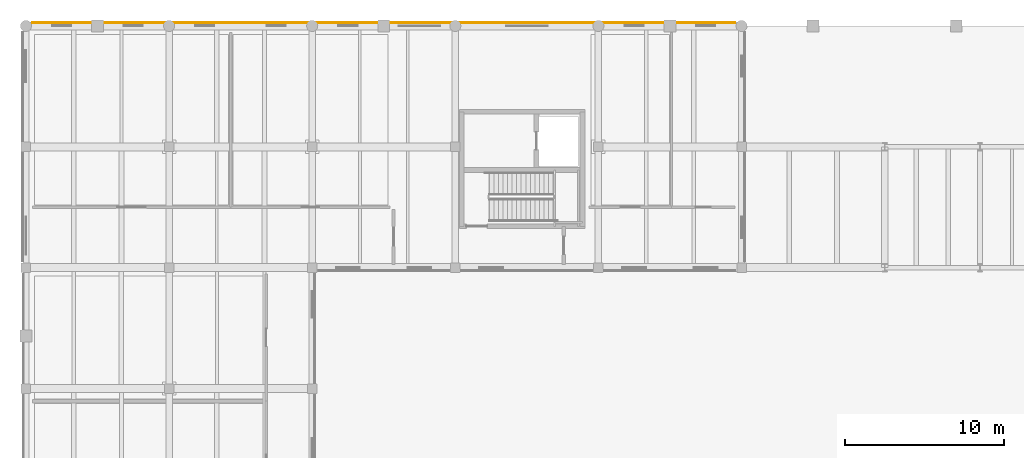
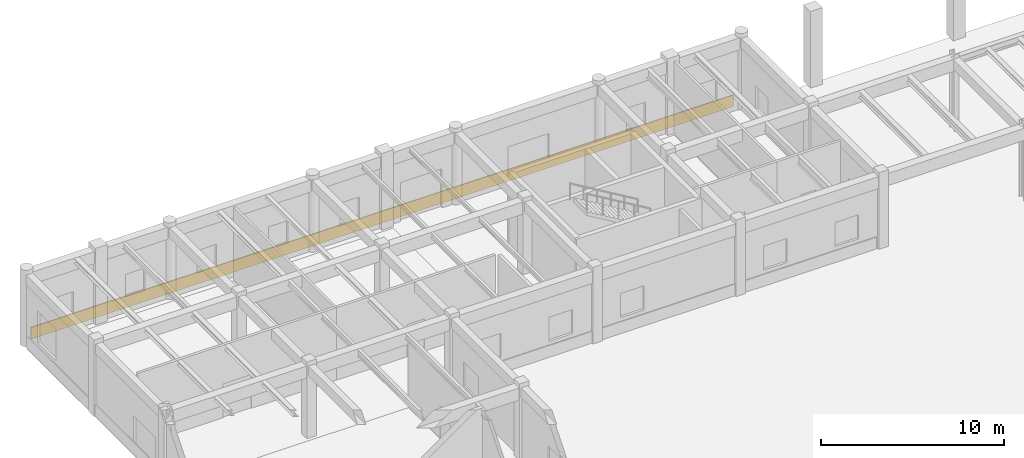
# One storey, part 58 of 64: 1 covering.
"""IFC4 building model written with IfcOpenShell, lengths in metres."""

import ifcopenshell
import ifcopenshell.guid

model = None  # the IFC model being written
_history = None  # IfcOwnerHistory: only IFC2X3 demands one
_inside = {}  # id of a spatial element -> (the spatial element, [elements in it])
_under = {}  # id of a project, library or spatial element -> (it, [spatial elements below it])
_declared = {}  # id of a project -> (the project, [libraries it declares])
_typed = {}  # id of a type object -> (the type object, [elements of that type])
_made_of = {}  # id of a material, layer set ... -> (it, [elements and type objects made of it])


def new_model(schema):
    """Start an empty IFC model of exactly this schema.

    Asked for "IFC4X3", IfcOpenShell would pick the latest addendum, in which some entities
    have other attributes; the version numbers below select the first issue.
    IFC2X3 requires an IfcOwnerHistory on every rooted entity: one is made here for all.
    """
    global model, _history
    if schema == "IFC4X3":
        model = ifcopenshell.file(schema_version=(4, 3, 0, 0))
    else:
        model = ifcopenshell.file(schema=schema)
    _inside.clear()
    _under.clear()
    _declared.clear()
    _typed.clear()
    _made_of.clear()
    _history = None
    if model.schema == "IFC2X3":
        org = make("IfcOrganization", Name="unknown")
        user = make(
            "IfcPersonAndOrganization",
            ThePerson=make("IfcPerson", FamilyName="unknown"),
            TheOrganization=org,
        )
        app = make(
            "IfcApplication",
            ApplicationDeveloper=org,
            Version="unknown",
            ApplicationFullName="unknown",
            ApplicationIdentifier="unknown",
        )
        _history = make(
            "IfcOwnerHistory",
            OwningUser=user,
            OwningApplication=app,
            ChangeAction="ADDED",
            CreationDate=0,
        )
    return model


def make(cls, **values):
    """One entity of the class cls with the attributes given. An attribute that is None is left unset."""
    return model.create_entity(
        cls, **{name: value for name, value in values.items() if value is not None}
    )


def rooted(cls, **values):
    """An entity with a GlobalId (a new one), such as an element, a storey or a relation."""
    return make(cls, GlobalId=ifcopenshell.guid.new(), OwnerHistory=_history, **values)


def si_unit(unit_type, name, prefix=None):
    """IfcSIUnit, for example si_unit("LENGTHUNIT", "METRE", prefix="MILLI")."""
    return make("IfcSIUnit", UnitType=unit_type, Prefix=prefix, Name=name)


def assignment(units):
    """IfcUnitAssignment: the units of a project."""
    return None if units is None else make("IfcUnitAssignment", Units=units)


def point(xyz):
    """IfcCartesianPoint."""
    return None if xyz is None else make("IfcCartesianPoint", Coordinates=xyz)


def direction(xyz):
    """IfcDirection."""
    return None if xyz is None else make("IfcDirection", DirectionRatios=xyz)


def frame(location, z_axis=None, x_axis=None):
    """IfcAxis2Placement3D, a coordinate frame: its origin and axes. An axis left out is left unset."""
    return make(
        "IfcAxis2Placement3D",
        Location=point(location),
        Axis=direction(z_axis),
        RefDirection=direction(x_axis),
    )


def frame_2d(location, x_axis=None):
    """IfcAxis2Placement2D, a coordinate frame in the plane: its origin and x axis."""
    return make(
        "IfcAxis2Placement2D", Location=point(location), RefDirection=direction(x_axis)
    )


def origin():
    """The frame at (0, 0, 0) with its axes left unset."""
    return frame((0.0, 0.0, 0.0))


def origin_2d():
    """The frame at (0, 0) in the plane with its x axis left unset."""
    return frame_2d((0.0, 0.0))


def place(relative_to, where):
    """IfcLocalPlacement: puts the frame where relative to a parent placement (None: the world)."""
    return make(
        "IfcLocalPlacement", PlacementRelTo=relative_to, RelativePlacement=where
    )


def context(
    kind, dimensions, precision=None, world=None, true_north=None, identifier=None
):
    """IfcGeometricRepresentationContext, for example the 3D "Model" context."""
    return make(
        "IfcGeometricRepresentationContext",
        ContextIdentifier=identifier,
        ContextType=kind,
        CoordinateSpaceDimension=dimensions,
        Precision=precision,
        WorldCoordinateSystem=world,
        TrueNorth=true_north,
    )


def subcontext(parent, identifier, kind, view, scale=None):
    """IfcGeometricRepresentationSubContext, for example "Body" below "Model"."""
    return make(
        "IfcGeometricRepresentationSubContext",
        ContextIdentifier=identifier,
        ContextType=kind,
        ParentContext=parent,
        TargetScale=scale,
        TargetView=view,
    )


def project(units=None, contexts=None):
    """IfcProject with its units and contexts."""
    return rooted(
        "IfcProject",
        Name="project",
        RepresentationContexts=contexts,
        UnitsInContext=assignment(units),
    )


def spatial(cls, under=None, at=None, **own):
    """A site, building, storey or space (cls), placed at a placement, below another one or the project."""
    s = rooted(cls, ObjectPlacement=at, **own)
    if under is not None:
        _under.setdefault(under.id(), (under, []))[1].append(s)
    return s


def profile(cls, at=None, kind="AREA", **sizes):
    """A parametric profile (cls). Its sizes go by their IFC names, for example OverallWidth=200.0."""
    return make(cls, ProfileType=kind, Position=at, **sizes)


def rectangle(**sizes):
    """IfcRectangleProfileDef."""
    return profile("IfcRectangleProfileDef", **sizes)


def extrude(swept, where, along, depth):
    """IfcExtrudedAreaSolid: the profile swept, set in the frame where, extruded along a direction by depth."""
    return make(
        "IfcExtrudedAreaSolid",
        SweptArea=swept,
        Position=where,
        ExtrudedDirection=direction(along),
        Depth=depth,
    )


def shape(context_of_items, identifier, shape_type, items):
    """IfcShapeRepresentation: the items that make up one representation, for example the "Body"."""
    return make(
        "IfcShapeRepresentation",
        ContextOfItems=context_of_items,
        RepresentationIdentifier=identifier,
        RepresentationType=shape_type,
        Items=items,
    )


def material(Name=None, Category=None):
    """IfcMaterial."""
    return make("IfcMaterial", Name=Name, Category=Category)


def layer(
    of_material, thickness, ventilated=None, Name=None, Category=None, Priority=None
):
    """IfcMaterialLayer: one layer of a wall or slab, of a material (None: an air gap)."""
    return make(
        "IfcMaterialLayer",
        Material=of_material,
        LayerThickness=thickness,
        IsVentilated=ventilated,
        Name=Name,
        Category=Category,
        Priority=Priority,
    )


def layer_set(layers, Name=None):
    """IfcMaterialLayerSet."""
    return make("IfcMaterialLayerSet", MaterialLayers=layers, LayerSetName=Name)


def made_of(thing, what):
    """Note that an element or type object is made of a material, layer set ...; save() writes the relation."""
    if what is not None:
        _made_of.setdefault(what.id(), (what, []))[1].append(thing)
    return thing


def type_object(cls, material=None, **own):
    """A type object (cls), such as IfcWallType, which elements share."""
    return made_of(rooted(cls, **own), material)


def element(
    cls,
    number,
    at=None,
    inside=None,
    cuts=None,
    type_object=None,
    material=None,
    context=None,
    identifier="Body",
    shape_type=None,
    held_by="IfcProductDefinitionShape",
    body=None,
    shapes=None,
    **own,
):
    """One element of the class cls, such as IfcWall. Its Tag is "e" and its number.

    at: its placement. inside: the storey or other place that contains it. cuts: it is an
    opening in that element (IfcRelVoidsElement). A single representation is given by context,
    identifier, shape_type and body (its items); several are given by shapes. held_by: the class
    of the entity that holds the representations. save() writes the other relations.
    """
    e = rooted(cls, Tag="e%d" % number, ObjectPlacement=at, **own)
    if body is not None:
        shapes = [shape(context, identifier, shape_type, body)]
    if shapes is not None:
        e.Representation = make(held_by, Representations=shapes)
    if inside is not None:
        _inside.setdefault(inside.id(), (inside, []))[1].append(e)
    if cuts is not None:
        rooted(
            "IfcRelVoidsElement", RelatingBuildingElement=cuts, RelatedOpeningElement=e
        )
    if type_object is not None:
        _typed.setdefault(type_object.id(), (type_object, []))[1].append(e)
    return made_of(e, material)


def aggregate(whole, parts):
    """IfcRelAggregates: a whole, such as a stair, and the parts it consists of."""
    return rooted("IfcRelAggregates", RelatingObject=whole, RelatedObjects=parts)


def save(model, path):
    """Write the relations noted so far, then the file.

    IfcRelAggregates (storeys below a building ...), IfcRelContainedInSpatialStructure (elements
    in a storey), IfcRelDefinesByType, IfcRelAssociatesMaterial and IfcRelDeclares: one each for
    every whole, place, type object, material and project.
    """
    for whole, parts in _under.values():
        aggregate(whole, parts)
    for where, things in _inside.values():
        rooted(
            "IfcRelContainedInSpatialStructure",
            RelatedElements=things,
            RelatingStructure=where,
        )
    for kind, things in _typed.values():
        rooted("IfcRelDefinesByType", RelatedObjects=things, RelatingType=kind)
    for what, things in _made_of.values():
        rooted("IfcRelAssociatesMaterial", RelatedObjects=things, RelatingMaterial=what)
    for by, libraries in _declared.values():
        rooted("IfcRelDeclares", RelatingContext=by, RelatedDefinitions=libraries)
    model.write(path)


model = new_model("IFC4")

# Units and contexts
model_context = context("Model", 3, precision=1e-05, world=origin(), true_north=direction((0.0, 1.0)))
body_context = subcontext(model_context, "Body", "Model", "MODEL_VIEW")
ifc_project = project(units=[si_unit("LENGTHUNIT", "METRE"), si_unit("AREAUNIT", "SQUARE_METRE"), si_unit("VOLUMEUNIT", "CUBIC_METRE"), si_unit("PLANEANGLEUNIT", "RADIAN"), si_unit("MASSUNIT", "GRAM", prefix="KILO")], contexts=[model_context])

# Site, building, storey
site_placement = place(None, origin())
site = spatial("IfcSite", under=ifc_project, at=site_placement, CompositionType="ELEMENT")
building_placement = place(site_placement, origin())
building = spatial("IfcBuilding", under=site, at=building_placement, Name="Montealbar Specialist Clinic", CompositionType="ELEMENT")
storey_placement = place(building_placement, origin())
storey = spatial("IfcBuildingStorey", under=building, at=storey_placement, Name="L00", CompositionType="ELEMENT", Elevation=0.0)

# Covering
ifc_material = material(Name="Guadarrama granite ashlar", Category="masonry")
ifc_layer = layer(ifc_material, 0.06005859375, Name="Guadarrama granite ashlar", Category="masonry")
ifc_layer_set = layer_set([ifc_layer], Name="Guadarrama granite ashlar")
covering_type = type_object("IfcCoveringType", Name="COV-CLAD-GRANITE", PredefinedType="CLADDING", material=ifc_layer_set)
covering_placement = place(storey_placement, frame((22.5, 111.202880859375, 0.02978515625), z_axis=(0.0, 0.0, 1.0), x_axis=(1.0, 0.0, 0.0)))
element("IfcCovering", 1, at=covering_placement, inside=storey, type_object=covering_type, Name="Facade Plinth Cladding Band L00-017", PredefinedType="CLADDING", context=body_context, shape_type="SweptSolid", body=[
    extrude(rectangle(XDim=44.199951171875, YDim=0.06005859375, at=origin_2d()), origin(), (0.0, 0.0, 1.0), 0.780029296875),
])

save(model, "model.ifc")
